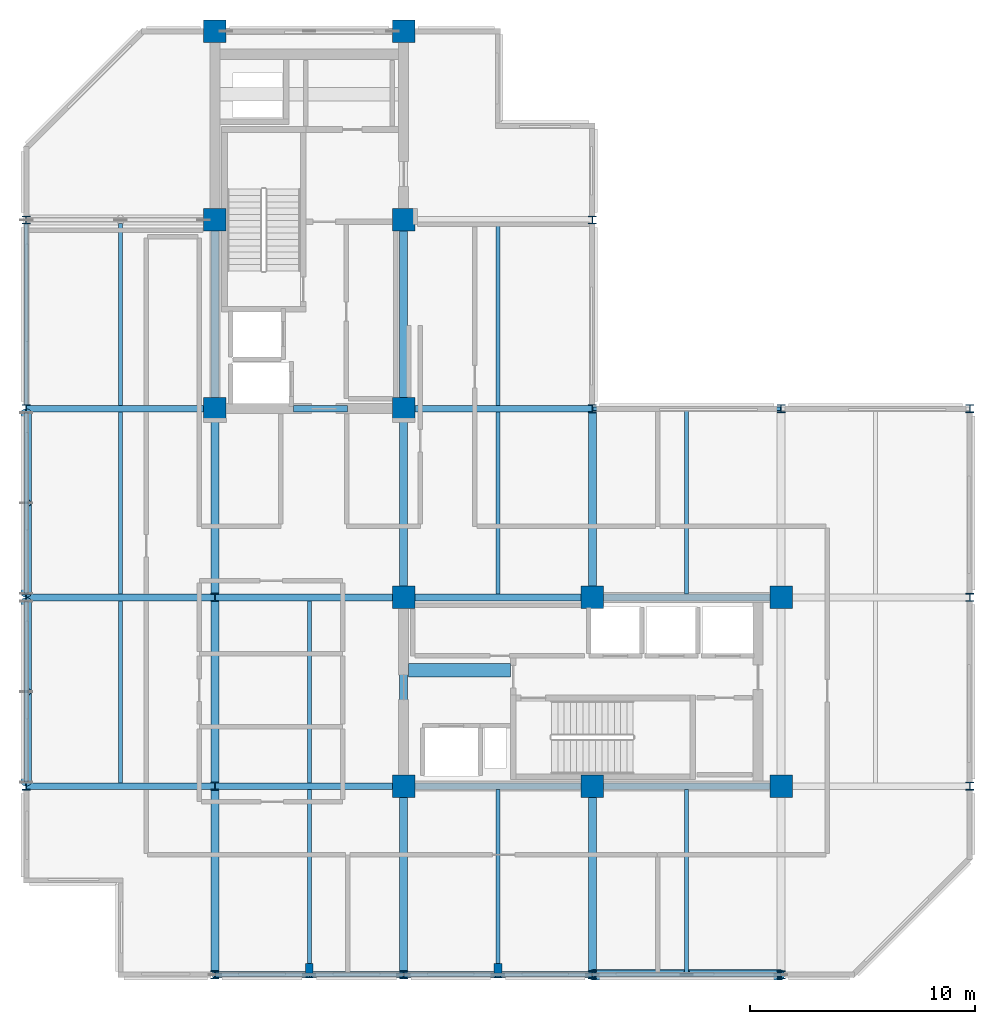
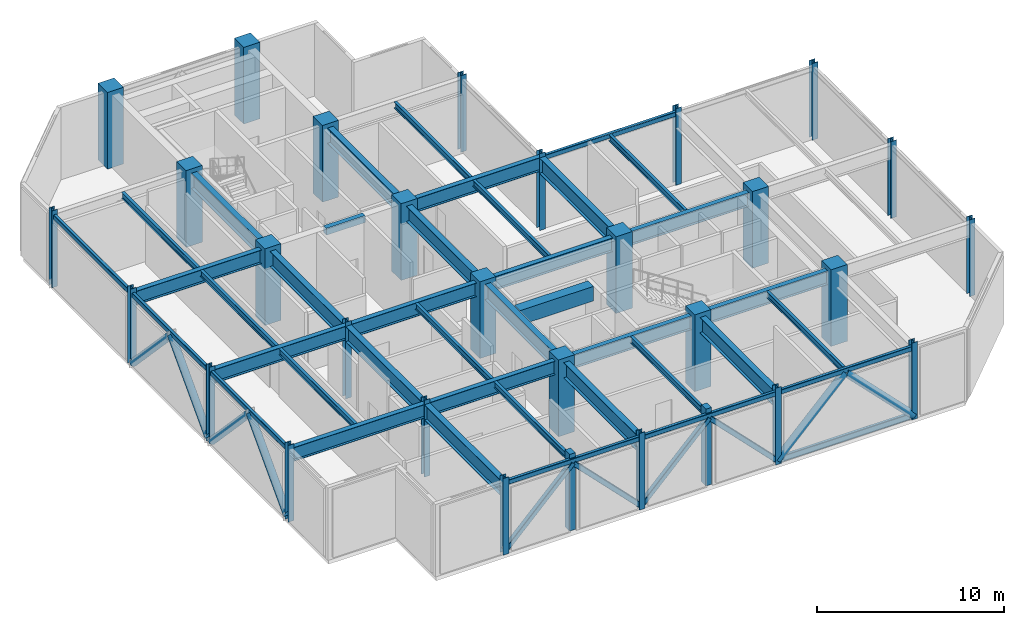
# One storey, part 1 of 10: 39 beams, 30 columns, 11 members.
"""IFC4 building model written with IfcOpenShell, lengths in metres."""

from ifc_helpers import new_model, si_unit, direction, frame, origin, origin_2d, place, context, subcontext, project, spatial, rectangle, hollow_rectangle, hollow_circle, i_section, extrude, material, material_profile, profile_set, type_object, element, save


model = new_model("IFC4")

# Units and contexts
model_context = context("Model", 3, precision=1e-05, world=origin(), true_north=direction((0.0, 1.0)))
body_context = subcontext(model_context, "Body", "Model", "MODEL_VIEW")
ifc_project = project(units=[si_unit("LENGTHUNIT", "METRE"), si_unit("AREAUNIT", "SQUARE_METRE"), si_unit("VOLUMEUNIT", "CUBIC_METRE"), si_unit("PLANEANGLEUNIT", "RADIAN"), si_unit("MASSUNIT", "GRAM", prefix="KILO")], contexts=[model_context])

# Site, building, storey
site_placement = place(None, origin())
site = spatial("IfcSite", under=ifc_project, at=site_placement, CompositionType="ELEMENT")
building_placement = place(site_placement, origin())
building = spatial("IfcBuilding", under=site, at=building_placement, Name="Nerrivon Quay Data Exchange", CompositionType="ELEMENT")
storey_placement = place(building_placement, frame((0.0, 0.0, 245.199951171875)))
storey = spatial("IfcBuildingStorey", under=building, at=storey_placement, Name="L58", CompositionType="ELEMENT", Elevation=245.199951171875)

# Columns
ifc_material_1 = material(Name="Concrete S65 (65 MPa)", Category="concrete")
ifc_material_profile_1 = material_profile(ifc_material_1, rectangle(XDim=1.0, YDim=1.0, at=origin_2d()), Name="RC-COL-1000x1000")
ifc_profile_set_1 = profile_set([ifc_material_profile_1], Name="Concrete S65 (65 MPa)")
column_type_1 = type_object("IfcColumnType", Name="COL-C4-1000", PredefinedType="COLUMN", material=ifc_profile_set_1)
for number, where, z_axis, x_axis, name in (
    (1, (8.39990234375, 25.199951171875, 0.0), (0.0, 0.0, 1.0), (1.0, 0.0, 0.0), "L58 Column (8.4,25.2)"),
    (2, (8.39990234375, 33.60009765625, 0.0), (0.0, 0.0, 1.0), (1.0, 0.0, 0.0), "L58 Column (8.4,33.6)"),
    (3, (8.39990234375, 42.0, 0.0), (0.0, 0.0, 1.0), (1.0, 0.0, 0.0), "L58 Column (8.4,42.0)"),
    (4, (16.800048828125, 8.39990234375, 0.0), (0.0, 0.0, 1.0), (1.0, 0.0, 0.0), "L58 Column (16.8,8.4)"),
    (5, (16.800048828125, 16.800048828125, 0.0), (0.0, 0.0, 1.0), (1.0, 0.0, 0.0), "L58 Column (16.8,16.8)"),
    (6, (16.800048828125, 25.199951171875, 0.0), (0.0, 0.0, 1.0), (1.0, 0.0, 0.0), "L58 Column (16.8,25.2)"),
    (7, (16.800048828125, 33.60009765625, 0.0), (0.0, 0.0, 1.0), (1.0, 0.0, 0.0), "L58 Column (16.8,33.6)"),
    (8, (16.800048828125, 42.0, 0.0), (0.0, 0.0, 1.0), (1.0, 0.0, 0.0), "L58 Column (16.8,42.0)"),
    (9, (25.199951171875, 8.39990234375, 0.0), (0.0, 0.0, 1.0), (1.0, 0.0, 0.0), "L58 Column (25.2,8.4)"),
    (10, (25.199951171875, 16.800048828125, 0.0), (0.0, 0.0, 1.0), (1.0, 0.0, 0.0), "L58 Column (25.2,16.8)"),
    (11, (33.60009765625, 8.39990234375, 0.0), (0.0, 0.0, 1.0), (1.0, 0.0, 0.0), "L58 Column (33.6,8.4)"),
    (12, (33.60009765625, 16.800048828125, 0.0), (0.0, 0.0, 1.0), (1.0, 0.0, 0.0), "L58 Column (33.6,16.8)"),
):
    element("IfcColumn", number, at=place(storey_placement, frame(where, z_axis=z_axis, x_axis=x_axis)), inside=storey, type_object=column_type_1, Name=name, PredefinedType="COLUMN", context=body_context, shape_type="SweptSolid", body=[
        extrude(rectangle(XDim=1.0, YDim=1.0, at=origin_2d()), origin(), (0.0, 0.0, 1.0), 5.0),
    ])
ifc_material_2 = material(Name="Steel Grade 350", Category="steel")
ifc_material_profile_2 = material_profile(ifc_material_2, i_section(OverallWidth=0.35009765625, OverallDepth=0.35009765625, WebThickness=0.02001953125, FlangeThickness=0.031982421875, at=origin_2d()), Name="350WC230")
ifc_profile_set_2 = profile_set([ifc_material_profile_2], Name="Steel Grade 350")
column_type_2 = type_object("IfcColumnType", Name="COL-SC3-350WC", PredefinedType="COLUMN", material=ifc_profile_set_2)
for number, where, z_axis, x_axis, name in (
    (13, (0.0, 8.39990234375, 0.0), (0.0, 0.0, 1.0), (1.0, 0.0, 0.0), "L58 Column (0.0,8.4)"),
    (14, (0.0, 16.800048828125, 0.0), (0.0, 0.0, 1.0), (1.0, 0.0, 0.0), "L58 Column (0.0,16.8)"),
    (15, (0.0, 25.199951171875, 0.0), (0.0, 0.0, 1.0), (1.0, 0.0, 0.0), "L58 Column (0.0,25.2)"),
    (16, (0.0, 33.60009765625, 0.0), (0.0, 0.0, 1.0), (1.0, 0.0, 0.0), "L58 Column (0.0,33.6)"),
    (17, (8.39990234375, 0.0, 0.0), (0.0, 0.0, 1.0), (1.0, 0.0, 0.0), "L58 Column (8.4,0.0)"),
    (18, (8.39990234375, 8.39990234375, 0.0), (0.0, 0.0, 1.0), (1.0, 0.0, 0.0), "L58 Column (8.4,8.4)"),
    (19, (8.39990234375, 16.800048828125, 0.0), (0.0, 0.0, 1.0), (1.0, 0.0, 0.0), "L58 Column (8.4,16.8)"),
    (20, (16.800048828125, 0.0, 0.0), (0.0, 0.0, 1.0), (1.0, 0.0, 0.0), "L58 Column (16.8,0.0)"),
    (21, (25.199951171875, 0.0, 0.0), (0.0, 0.0, 1.0), (1.0, 0.0, 0.0), "L58 Column (25.2,0.0)"),
    (22, (25.199951171875, 25.199951171875, 0.0), (0.0, 0.0, 1.0), (1.0, 0.0, 0.0), "L58 Column (25.2,25.2)"),
    (23, (25.199951171875, 33.60009765625, 0.0), (0.0, 0.0, 1.0), (1.0, 0.0, 0.0), "L58 Column (25.2,33.6)"),
    (24, (33.60009765625, 0.0, 0.0), (0.0, 0.0, 1.0), (1.0, 0.0, 0.0), "L58 Column (33.6,0.0)"),
    (25, (33.60009765625, 25.199951171875, 0.0), (0.0, 0.0, 1.0), (1.0, 0.0, 0.0), "L58 Column (33.6,25.2)"),
    (26, (42.0, 8.39990234375, 0.0), (0.0, 0.0, 1.0), (1.0, 0.0, 0.0), "L58 Column (42.0,8.4)"),
    (27, (42.0, 16.800048828125, 0.0), (0.0, 0.0, 1.0), (1.0, 0.0, 0.0), "L58 Column (42.0,16.8)"),
    (28, (42.0, 25.199951171875, 0.0), (0.0, 0.0, 1.0), (1.0, 0.0, 0.0), "L58 Column (42.0,25.2)"),
):
    element("IfcColumn", number, at=place(storey_placement, frame(where, z_axis=z_axis, x_axis=x_axis)), inside=storey, type_object=column_type_2, Name=name, PredefinedType="COLUMN", context=body_context, shape_type="SweptSolid", body=[
        extrude(i_section(OverallWidth=0.35009765625, OverallDepth=0.35009765625, WebThickness=0.02001953125, FlangeThickness=0.031982421875, at=origin_2d()), origin(), (0.0, 0.0, 1.0), 5.0),
    ])
ifc_material_3 = material(Name="Concrete N50 (50 MPa)", Category="concrete")
ifc_material_profile_3 = material_profile(ifc_material_3, rectangle(XDim=0.35009765625, YDim=0.5, at=origin_2d()), Name="RC-PIL-500x350")
ifc_profile_set_3 = profile_set([ifc_material_profile_3], Name="Concrete N50 (50 MPa)")
column_type_3 = type_object("IfcColumnType", Name="PIL-P2-500x350", PredefinedType="PILASTER", material=ifc_profile_set_3)
for number, where, z_axis, x_axis, name in (
    (29, (12.60009765625, 0.25, 0.0), (0.0, 0.0, 1.0), (1.0, 0.0, 0.0), "L58 Facade Pilaster (12.6)"),
    (30, (21.0, 0.25, 0.0), (0.0, 0.0, 1.0), (1.0, 0.0, 0.0), "L58 Facade Pilaster (21.0)"),
):
    element("IfcColumn", number, at=place(storey_placement, frame(where, z_axis=z_axis, x_axis=x_axis)), inside=storey, type_object=column_type_3, Name=name, PredefinedType="PILASTER", context=body_context, shape_type="SweptSolid", body=[
        extrude(rectangle(XDim=0.35009765625, YDim=0.5, at=origin_2d()), origin(), (0.0, 0.0, 1.0), 5.0),
    ])

# Beams
ifc_material_profile_4 = material_profile(ifc_material_3, rectangle(XDim=0.60009765625, YDim=0.949951171875, at=origin_2d()), Name="RC-CB-600x950")
ifc_profile_set_4 = profile_set([ifc_material_profile_4], Name="Concrete N50 (50 MPa)")
beam_type_1 = type_object("IfcBeamType", Name="BM-CB2-600x950", PredefinedType="LINTEL", material=ifc_profile_set_4)
beam_1_placement = place(storey_placement, frame((17.02490234375, 13.550048828125, 4.25), z_axis=(1.0, 0.0, 0.0), x_axis=(0.0, 1.0, 0.0)))
element("IfcBeam", 31, at=beam_1_placement, inside=storey, type_object=beam_type_1, Name="L58 East Core Coupling Beam", PredefinedType="LINTEL", context=body_context, shape_type="SweptSolid", body=[
    extrude(rectangle(XDim=0.60009765625, YDim=0.949951171875, at=origin_2d()), origin(), (0.0, 0.0, 1.0), 4.530029296875),
])
ifc_material_profile_5 = material_profile(ifc_material_2, i_section(OverallWidth=0.177978515625, OverallDepth=0.403076171875, WebThickness=0.007568359375, FlangeThickness=0.010986328125, FilletRadius=0.011474609375, at=origin_2d()), Name="410UB53.7")
ifc_profile_set_5 = profile_set([ifc_material_profile_5], Name="Steel Grade 350")
beam_type_2 = type_object("IfcBeamType", Name="BM-J2-410UB54", PredefinedType="JOIST", material=ifc_profile_set_5)
beam_2_placement = place(storey_placement, frame((4.199951171875, 8.550048828125, 4.5234375), z_axis=(0.0, 1.0, 0.0), x_axis=(-1.0, 0.0, 0.0)))
element("IfcBeam", 32, at=beam_2_placement, inside=storey, type_object=beam_type_2, Name="L58 Secondary Joist X=4.2 (8.4..16.8)", PredefinedType="JOIST", context=body_context, shape_type="SweptSolid", body=[
    extrude(i_section(OverallWidth=0.177978515625, OverallDepth=0.403076171875, WebThickness=0.007568359375, FlangeThickness=0.010986328125, FilletRadius=0.011474609375, at=origin_2d()), origin(), (0.0, 0.0, 1.0), 8.099853515625),
])
beam_3_placement = place(storey_placement, frame((4.199951171875, 16.949951171875, 4.5234375), z_axis=(0.0, 1.0, 0.0), x_axis=(-1.0, 0.0, 0.0)))
element("IfcBeam", 33, at=beam_3_placement, inside=storey, type_object=beam_type_2, Name="L58 Secondary Joist X=4.2 (16.8..25.2)", PredefinedType="JOIST", context=body_context, shape_type="SweptSolid", body=[
    extrude(i_section(OverallWidth=0.177978515625, OverallDepth=0.403076171875, WebThickness=0.007568359375, FlangeThickness=0.010986328125, FilletRadius=0.011474609375, at=origin_2d()), origin(), (0.0, 0.0, 1.0), 8.10009765625),
])
beam_4_placement = place(storey_placement, frame((4.199951171875, 25.35009765625, 4.5234375), z_axis=(0.0, 1.0, 0.0), x_axis=(-1.0, 0.0, 0.0)))
element("IfcBeam", 34, at=beam_4_placement, inside=storey, type_object=beam_type_2, Name="L58 Secondary Joist X=4.2 (25.2..33.6)", PredefinedType="JOIST", context=body_context, shape_type="SweptSolid", body=[
    extrude(i_section(OverallWidth=0.177978515625, OverallDepth=0.403076171875, WebThickness=0.007568359375, FlangeThickness=0.010986328125, FilletRadius=0.011474609375, at=origin_2d()), origin(), (0.0, 0.0, 1.0), 8.099853515625),
])
beam_5_placement = place(storey_placement, frame((12.60009765625, 0.10009765625, 4.5234375), z_axis=(0.0, 1.0, 0.0), x_axis=(-1.0, 0.0, 0.0)))
element("IfcBeam", 35, at=beam_5_placement, inside=storey, type_object=beam_type_2, Name="L58 Secondary Joist X=12.6 (0.0..8.4)", PredefinedType="JOIST", context=body_context, shape_type="SweptSolid", body=[
    extrude(i_section(OverallWidth=0.177978515625, OverallDepth=0.403076171875, WebThickness=0.007568359375, FlangeThickness=0.010986328125, FilletRadius=0.011474609375, at=origin_2d()), origin(), (0.0, 0.0, 1.0), 8.14990234375),
])
beam_6_placement = place(storey_placement, frame((12.60009765625, 8.550048828125, 4.5234375), z_axis=(0.0, 1.0, 0.0), x_axis=(-1.0, 0.0, 0.0)))
element("IfcBeam", 36, at=beam_6_placement, inside=storey, type_object=beam_type_2, Name="L58 Secondary Joist X=12.6 (8.4..16.8)", PredefinedType="JOIST", context=body_context, shape_type="SweptSolid", body=[
    extrude(i_section(OverallWidth=0.177978515625, OverallDepth=0.403076171875, WebThickness=0.007568359375, FlangeThickness=0.010986328125, FilletRadius=0.011474609375, at=origin_2d()), origin(), (0.0, 0.0, 1.0), 8.099853515625),
])
beam_7_placement = place(storey_placement, frame((21.0, 0.10009765625, 4.5234375), z_axis=(0.0, 1.0, 0.0), x_axis=(-1.0, 0.0, 0.0)))
element("IfcBeam", 37, at=beam_7_placement, inside=storey, type_object=beam_type_2, Name="L58 Secondary Joist X=21.0 (0.0..8.4)", PredefinedType="JOIST", context=body_context, shape_type="SweptSolid", body=[
    extrude(i_section(OverallWidth=0.177978515625, OverallDepth=0.403076171875, WebThickness=0.007568359375, FlangeThickness=0.010986328125, FilletRadius=0.011474609375, at=origin_2d()), origin(), (0.0, 0.0, 1.0), 8.14990234375),
])
beam_8_placement = place(storey_placement, frame((21.0, 16.949951171875, 4.5234375), z_axis=(0.0, 1.0, 0.0), x_axis=(-1.0, 0.0, 0.0)))
element("IfcBeam", 38, at=beam_8_placement, inside=storey, type_object=beam_type_2, Name="L58 Secondary Joist X=21.0 (16.8..25.2)", PredefinedType="JOIST", context=body_context, shape_type="SweptSolid", body=[
    extrude(i_section(OverallWidth=0.177978515625, OverallDepth=0.403076171875, WebThickness=0.007568359375, FlangeThickness=0.010986328125, FilletRadius=0.011474609375, at=origin_2d()), origin(), (0.0, 0.0, 1.0), 8.10009765625),
])
beam_9_placement = place(storey_placement, frame((21.0, 25.35009765625, 4.5234375), z_axis=(0.0, 1.0, 0.0), x_axis=(-1.0, 0.0, 0.0)))
element("IfcBeam", 39, at=beam_9_placement, inside=storey, type_object=beam_type_2, Name="L58 Secondary Joist X=21.0 (25.2..33.6)", PredefinedType="JOIST", context=body_context, shape_type="SweptSolid", body=[
    extrude(i_section(OverallWidth=0.177978515625, OverallDepth=0.403076171875, WebThickness=0.007568359375, FlangeThickness=0.010986328125, FilletRadius=0.011474609375, at=origin_2d()), origin(), (0.0, 0.0, 1.0), 8.099853515625),
])
beam_10_placement = place(storey_placement, frame((29.39990234375, 0.10009765625, 4.5234375), z_axis=(0.0, 1.0, 0.0), x_axis=(-1.0, 0.0, 0.0)))
element("IfcBeam", 40, at=beam_10_placement, inside=storey, type_object=beam_type_2, Name="L58 Secondary Joist X=29.4 (0.0..8.4)", PredefinedType="JOIST", context=body_context, shape_type="SweptSolid", body=[
    extrude(i_section(OverallWidth=0.177978515625, OverallDepth=0.403076171875, WebThickness=0.007568359375, FlangeThickness=0.010986328125, FilletRadius=0.011474609375, at=origin_2d()), origin(), (0.0, 0.0, 1.0), 8.14990234375),
])
beam_11_placement = place(storey_placement, frame((29.39990234375, 16.949951171875, 4.5234375), z_axis=(0.0, 1.0, 0.0), x_axis=(-1.0, 0.0, 0.0)))
element("IfcBeam", 41, at=beam_11_placement, inside=storey, type_object=beam_type_2, Name="L58 Secondary Joist X=29.4 (16.8..25.2)", PredefinedType="JOIST", context=body_context, shape_type="SweptSolid", body=[
    extrude(i_section(OverallWidth=0.177978515625, OverallDepth=0.403076171875, WebThickness=0.007568359375, FlangeThickness=0.010986328125, FilletRadius=0.011474609375, at=origin_2d()), origin(), (0.0, 0.0, 1.0), 8.150146484375),
])
ifc_material_profile_6 = material_profile(ifc_material_3, rectangle(XDim=0.300048828125, YDim=0.449951171875, at=origin_2d()), Name="RC-LNT-300x450")
ifc_profile_set_6 = profile_set([ifc_material_profile_6], Name="Concrete N50 (50 MPa)")
beam_type_3 = type_object("IfcBeamType", Name="BM-LNT-300x450", PredefinedType="LINTEL", material=ifc_profile_set_6)
beam_12_placement = place(storey_placement, frame((11.89990234375, 25.199951171875, 4.5), z_axis=(1.0, 0.0, 0.0), x_axis=(0.0, 1.0, 0.0)))
element("IfcBeam", 42, at=beam_12_placement, inside=storey, type_object=beam_type_3, Name="L58 Core Threshold RC Lintel", PredefinedType="LINTEL", context=body_context, shape_type="SweptSolid", body=[
    extrude(rectangle(XDim=0.300048828125, YDim=0.449951171875, at=origin_2d()), origin(), (0.0, 0.0, 1.0), 2.400146484375),
])
ifc_material_profile_7 = material_profile(ifc_material_2, i_section(OverallWidth=0.300048828125, OverallDepth=0.89990234375, WebThickness=0.011962890625, FlangeThickness=0.02001953125, at=origin_2d()), Name="900WB175")
ifc_profile_set_7 = profile_set([ifc_material_profile_7], Name="Steel Grade 350")
beam_type_4 = type_object("IfcBeamType", Name="BM-OUT-900WB175", PredefinedType="BEAM", material=ifc_profile_set_7)
beam_13_placement = place(storey_placement, frame((0.010009765625, 8.39990234375, 4.275146484375), z_axis=(1.0, 0.0, 0.0), x_axis=(0.0, 1.0, 0.0)))
element("IfcBeam", 43, at=beam_13_placement, inside=storey, type_object=beam_type_4, Name="L58 EW Girder Y=8.4 (0.0..8.4)", PredefinedType="BEAM", context=body_context, shape_type="SweptSolid", body=[
    extrude(i_section(OverallWidth=0.300048828125, OverallDepth=0.89990234375, WebThickness=0.011962890625, FlangeThickness=0.02001953125, at=origin_2d()), origin(), (0.0, 0.0, 1.0), 8.3798828125),
])
beam_14_placement = place(storey_placement, frame((8.409912109375, 8.39990234375, 4.275146484375), z_axis=(1.0, 0.0, 0.0), x_axis=(0.0, 1.0, 0.0)))
element("IfcBeam", 44, at=beam_14_placement, inside=storey, type_object=beam_type_4, Name="L58 EW Girder Y=8.4 (8.4..16.8)", PredefinedType="BEAM", context=body_context, shape_type="SweptSolid", body=[
    extrude(i_section(OverallWidth=0.300048828125, OverallDepth=0.89990234375, WebThickness=0.011962890625, FlangeThickness=0.02001953125, at=origin_2d()), origin(), (0.0, 0.0, 1.0), 7.89013671875),
])
beam_15_placement = place(storey_placement, frame((17.300048828125, 8.39990234375, 4.275146484375), z_axis=(1.0, 0.0, 0.0), x_axis=(0.0, 1.0, 0.0)))
element("IfcBeam", 45, at=beam_15_placement, inside=storey, type_object=beam_type_4, Name="L58 EW Girder Y=8.4 (16.8..25.2)", PredefinedType="BEAM", context=body_context, shape_type="SweptSolid", body=[
    extrude(i_section(OverallWidth=0.300048828125, OverallDepth=0.89990234375, WebThickness=0.011962890625, FlangeThickness=0.02001953125, at=origin_2d()), origin(), (0.0, 0.0, 1.0), 7.39990234375),
])
beam_16_placement = place(storey_placement, frame((25.699951171875, 8.39990234375, 4.275146484375), z_axis=(1.0, 0.0, 0.0), x_axis=(0.0, 1.0, 0.0)))
element("IfcBeam", 46, at=beam_16_placement, inside=storey, type_object=beam_type_4, Name="L58 EW Girder Y=8.4 (25.2..33.6)", PredefinedType="BEAM", context=body_context, shape_type="SweptSolid", body=[
    extrude(i_section(OverallWidth=0.300048828125, OverallDepth=0.89990234375, WebThickness=0.011962890625, FlangeThickness=0.02001953125, at=origin_2d()), origin(), (0.0, 0.0, 1.0), 7.400146484375),
])
beam_17_placement = place(storey_placement, frame((0.010009765625, 16.800048828125, 4.275146484375), z_axis=(1.0, 0.0, 0.0), x_axis=(0.0, 1.0, 0.0)))
element("IfcBeam", 47, at=beam_17_placement, inside=storey, type_object=beam_type_4, Name="L58 EW Girder Y=16.8 (0.0..8.4)", PredefinedType="BEAM", context=body_context, shape_type="SweptSolid", body=[
    extrude(i_section(OverallWidth=0.300048828125, OverallDepth=0.89990234375, WebThickness=0.011962890625, FlangeThickness=0.02001953125, at=origin_2d()), origin(), (0.0, 0.0, 1.0), 8.3798828125),
])
beam_18_placement = place(storey_placement, frame((8.409912109375, 16.800048828125, 4.275146484375), z_axis=(1.0, 0.0, 0.0), x_axis=(0.0, 1.0, 0.0)))
element("IfcBeam", 48, at=beam_18_placement, inside=storey, type_object=beam_type_4, Name="L58 EW Girder Y=16.8 (8.4..16.8)", PredefinedType="BEAM", context=body_context, shape_type="SweptSolid", body=[
    extrude(i_section(OverallWidth=0.300048828125, OverallDepth=0.89990234375, WebThickness=0.011962890625, FlangeThickness=0.02001953125, at=origin_2d()), origin(), (0.0, 0.0, 1.0), 7.89013671875),
])
beam_19_placement = place(storey_placement, frame((17.300048828125, 16.800048828125, 4.275146484375), z_axis=(1.0, 0.0, 0.0), x_axis=(0.0, 1.0, 0.0)))
element("IfcBeam", 49, at=beam_19_placement, inside=storey, type_object=beam_type_4, Name="L58 EW Girder Y=16.8 (16.8..25.2)", PredefinedType="BEAM", context=body_context, shape_type="SweptSolid", body=[
    extrude(i_section(OverallWidth=0.300048828125, OverallDepth=0.89990234375, WebThickness=0.011962890625, FlangeThickness=0.02001953125, at=origin_2d()), origin(), (0.0, 0.0, 1.0), 7.39990234375),
])
beam_20_placement = place(storey_placement, frame((25.699951171875, 16.800048828125, 4.275146484375), z_axis=(1.0, 0.0, 0.0), x_axis=(0.0, 1.0, 0.0)))
element("IfcBeam", 50, at=beam_20_placement, inside=storey, type_object=beam_type_4, Name="L58 EW Girder Y=16.8 (25.2..33.6)", PredefinedType="BEAM", context=body_context, shape_type="SweptSolid", body=[
    extrude(i_section(OverallWidth=0.300048828125, OverallDepth=0.89990234375, WebThickness=0.011962890625, FlangeThickness=0.02001953125, at=origin_2d()), origin(), (0.0, 0.0, 1.0), 7.400146484375),
])
for number, where, z_axis, x_axis, name in (
    (51, (0.010009765625, 25.199951171875, 4.275146484375), (1.0, 0.0, 0.0), (0.0, 1.0, 0.0), "L58 EW Girder Y=25.2 (0.0..8.4)"),
    (52, (17.300048828125, 25.199951171875, 4.275146484375), (1.0, 0.0, 0.0), (0.0, 1.0, 0.0), "L58 EW Girder Y=25.2 (16.8..25.2)"),
):
    element("IfcBeam", number, at=place(storey_placement, frame(where, z_axis=z_axis, x_axis=x_axis)), inside=storey, type_object=beam_type_4, Name=name, PredefinedType="BEAM", context=body_context, shape_type="SweptSolid", body=[
        extrude(i_section(OverallWidth=0.300048828125, OverallDepth=0.89990234375, WebThickness=0.011962890625, FlangeThickness=0.02001953125, at=origin_2d()), origin(), (0.0, 0.0, 1.0), 7.889892578125),
    ])
ifc_material_4 = material(Name="Steel Grade C350L0 (350 MPa)", Category="steel")
ifc_material_profile_8 = material_profile(ifc_material_4, hollow_rectangle(XDim=0.199951171875, YDim=0.300048828125, WallThickness=0.012451171875, InnerFilletRadius=0.018798828125, OuterFilletRadius=0.03125, at=origin_2d()), Name="300x200x12.5RHS")
ifc_profile_set_8 = profile_set([ifc_material_profile_8], Name="Steel Grade C350L0 (350 MPa)")
beam_type_5 = type_object("IfcBeamType", Name="BM-SP3-300x200RHS", PredefinedType="SPANDREL", material=ifc_profile_set_8)
beam_21_placement = place(storey_placement, frame((8.409912109375, 0.0, 4.574951171875), z_axis=(1.0, 0.0, 0.0), x_axis=(0.0, 1.0, 0.0)))
element("IfcBeam", 53, at=beam_21_placement, inside=storey, type_object=beam_type_5, Name="L58 EW Girder Y=0.0 (8.4..16.8)", PredefinedType="SPANDREL", context=body_context, shape_type="SweptSolid", body=[
    extrude(hollow_rectangle(XDim=0.199951171875, YDim=0.300048828125, WallThickness=0.012451171875, InnerFilletRadius=0.018798828125, OuterFilletRadius=0.03125, at=origin_2d()), origin(), (0.0, 0.0, 1.0), 8.380126953125),
])
beam_22_placement = place(storey_placement, frame((16.81005859375, 0.0, 4.574951171875), z_axis=(1.0, 0.0, 0.0), x_axis=(0.0, 1.0, 0.0)))
element("IfcBeam", 54, at=beam_22_placement, inside=storey, type_object=beam_type_5, Name="L58 EW Girder Y=0.0 (16.8..25.2)", PredefinedType="SPANDREL", context=body_context, shape_type="SweptSolid", body=[
    extrude(hollow_rectangle(XDim=0.199951171875, YDim=0.300048828125, WallThickness=0.012451171875, InnerFilletRadius=0.018798828125, OuterFilletRadius=0.03125, at=origin_2d()), origin(), (0.0, 0.0, 1.0), 8.3798828125),
])
for number, where, z_axis, x_axis, name in (
    (55, (25.2099609375, 0.0, 4.574951171875), (1.0, 0.0, 0.0), (0.0, 1.0, 0.0), "L58 EW Girder Y=0.0 (25.2..33.6)"),
    (56, (25.2099609375, 25.199951171875, 4.574951171875), (1.0, 0.0, 0.0), (0.0, 1.0, 0.0), "L58 EW Girder Y=25.2 (25.2..33.6)"),
):
    element("IfcBeam", number, at=place(storey_placement, frame(where, z_axis=z_axis, x_axis=x_axis)), inside=storey, type_object=beam_type_5, Name=name, PredefinedType="SPANDREL", context=body_context, shape_type="SweptSolid", body=[
        extrude(hollow_rectangle(XDim=0.199951171875, YDim=0.300048828125, WallThickness=0.012451171875, InnerFilletRadius=0.018798828125, OuterFilletRadius=0.03125, at=origin_2d()), origin(), (0.0, 0.0, 1.0), 8.380126953125),
    ])
beam_23_placement = place(storey_placement, frame((0.0, 8.574951171875, 4.574951171875), z_axis=(0.0, 1.0, 0.0), x_axis=(-1.0, 0.0, 0.0)))
element("IfcBeam", 57, at=beam_23_placement, inside=storey, type_object=beam_type_5, Name="L58 NS Girder X=0.0 (8.4..16.8)", PredefinedType="SPANDREL", context=body_context, shape_type="SweptSolid", body=[
    extrude(hollow_rectangle(XDim=0.199951171875, YDim=0.300048828125, WallThickness=0.012451171875, InnerFilletRadius=0.018798828125, OuterFilletRadius=0.03125, at=origin_2d()), origin(), (0.0, 0.0, 1.0), 8.050048828125),
])
beam_24_placement = place(storey_placement, frame((0.0, 16.97509765625, 4.574951171875), z_axis=(0.0, 1.0, 0.0), x_axis=(-1.0, 0.0, 0.0)))
element("IfcBeam", 58, at=beam_24_placement, inside=storey, type_object=beam_type_5, Name="L58 NS Girder X=0.0 (16.8..25.2)", PredefinedType="SPANDREL", context=body_context, shape_type="SweptSolid", body=[
    extrude(hollow_rectangle(XDim=0.199951171875, YDim=0.300048828125, WallThickness=0.012451171875, InnerFilletRadius=0.018798828125, OuterFilletRadius=0.03125, at=origin_2d()), origin(), (0.0, 0.0, 1.0), 8.0498046875),
])
beam_25_placement = place(storey_placement, frame((0.0, 25.375, 4.574951171875), z_axis=(0.0, 1.0, 0.0), x_axis=(-1.0, 0.0, 0.0)))
element("IfcBeam", 59, at=beam_25_placement, inside=storey, type_object=beam_type_5, Name="L58 NS Girder X=0.0 (25.2..33.6)", PredefinedType="SPANDREL", context=body_context, shape_type="SweptSolid", body=[
    extrude(hollow_rectangle(XDim=0.199951171875, YDim=0.300048828125, WallThickness=0.012451171875, InnerFilletRadius=0.018798828125, OuterFilletRadius=0.03125, at=origin_2d()), origin(), (0.0, 0.0, 1.0), 8.050048828125),
])
ifc_material_profile_9 = material_profile(ifc_material_2, i_section(OverallWidth=0.35009765625, OverallDepth=1.01611328125, WebThickness=0.01611328125, FlangeThickness=0.028076171875, at=origin_2d()), Name="1000WB258")
ifc_profile_set_9 = profile_set([ifc_material_profile_9], Name="Steel Grade 350")
beam_type_6 = type_object("IfcBeamType", Name="BM-TG3-1000WB", PredefinedType="USERDEFINED", material=ifc_profile_set_9)
for number, where, z_axis, x_axis, name in (
    (60, (8.39990234375, 0.175048828125, 4.217041015625), (0.0, 1.0, 0.0), (-1.0, 0.0, 0.0), "L58 NS Girder X=8.4 (0.0..8.4)"),
    (61, (8.39990234375, 8.574951171875, 4.217041015625), (0.0, 1.0, 0.0), (-1.0, 0.0, 0.0), "L58 NS Girder X=8.4 (8.4..16.8)"),
):
    element("IfcBeam", number, at=place(storey_placement, frame(where, z_axis=z_axis, x_axis=x_axis)), inside=storey, type_object=beam_type_6, Name=name, ObjectType="TRANSFER", PredefinedType="USERDEFINED", context=body_context, shape_type="SweptSolid", body=[
        extrude(i_section(OverallWidth=0.35009765625, OverallDepth=1.01611328125, WebThickness=0.01611328125, FlangeThickness=0.028076171875, at=origin_2d()), origin(), (0.0, 0.0, 1.0), 8.050048828125),
    ])
beam_26_placement = place(storey_placement, frame((8.39990234375, 16.97509765625, 4.217041015625), z_axis=(0.0, 1.0, 0.0), x_axis=(-1.0, 0.0, 0.0)))
element("IfcBeam", 62, at=beam_26_placement, inside=storey, type_object=beam_type_6, Name="L58 NS Girder X=8.4 (16.8..25.2)", ObjectType="TRANSFER", PredefinedType="USERDEFINED", context=body_context, shape_type="SweptSolid", body=[
    extrude(i_section(OverallWidth=0.35009765625, OverallDepth=1.01611328125, WebThickness=0.01611328125, FlangeThickness=0.028076171875, at=origin_2d()), origin(), (0.0, 0.0, 1.0), 7.724853515625),
])
beam_27_placement = place(storey_placement, frame((8.39990234375, 25.699951171875, 4.217041015625), z_axis=(0.0, 1.0, 0.0), x_axis=(-1.0, 0.0, 0.0)))
element("IfcBeam", 63, at=beam_27_placement, inside=storey, type_object=beam_type_6, Name="L58 NS Girder X=8.4 (25.2..33.6)", ObjectType="TRANSFER", PredefinedType="USERDEFINED", context=body_context, shape_type="SweptSolid", body=[
    extrude(i_section(OverallWidth=0.35009765625, OverallDepth=1.01611328125, WebThickness=0.01611328125, FlangeThickness=0.028076171875, at=origin_2d()), origin(), (0.0, 0.0, 1.0), 7.400146484375),
])
beam_28_placement = place(storey_placement, frame((16.800048828125, 0.175048828125, 4.217041015625), z_axis=(0.0, 1.0, 0.0), x_axis=(-1.0, 0.0, 0.0)))
element("IfcBeam", 64, at=beam_28_placement, inside=storey, type_object=beam_type_6, Name="L58 NS Girder X=16.8 (0.0..8.4)", ObjectType="TRANSFER", PredefinedType="USERDEFINED", context=body_context, shape_type="SweptSolid", body=[
    extrude(i_section(OverallWidth=0.35009765625, OverallDepth=1.01611328125, WebThickness=0.01611328125, FlangeThickness=0.028076171875, at=origin_2d()), origin(), (0.0, 0.0, 1.0), 7.724853515625),
])
beam_29_placement = place(storey_placement, frame((16.800048828125, 8.89990234375, 4.217041015625), z_axis=(0.0, 1.0, 0.0), x_axis=(-1.0, 0.0, 0.0)))
element("IfcBeam", 65, at=beam_29_placement, inside=storey, type_object=beam_type_6, Name="L58 NS Girder X=16.8 (8.4..16.8)", ObjectType="TRANSFER", PredefinedType="USERDEFINED", context=body_context, shape_type="SweptSolid", body=[
    extrude(i_section(OverallWidth=0.35009765625, OverallDepth=1.01611328125, WebThickness=0.01611328125, FlangeThickness=0.028076171875, at=origin_2d()), origin(), (0.0, 0.0, 1.0), 7.400146484375),
])
beam_30_placement = place(storey_placement, frame((16.800048828125, 17.300048828125, 4.217041015625), z_axis=(0.0, 1.0, 0.0), x_axis=(-1.0, 0.0, 0.0)))
element("IfcBeam", 66, at=beam_30_placement, inside=storey, type_object=beam_type_6, Name="L58 NS Girder X=16.8 (16.8..25.2)", ObjectType="TRANSFER", PredefinedType="USERDEFINED", context=body_context, shape_type="SweptSolid", body=[
    extrude(i_section(OverallWidth=0.35009765625, OverallDepth=1.01611328125, WebThickness=0.01611328125, FlangeThickness=0.028076171875, at=origin_2d()), origin(), (0.0, 0.0, 1.0), 7.39990234375),
])
beam_31_placement = place(storey_placement, frame((16.800048828125, 25.699951171875, 4.217041015625), z_axis=(0.0, 1.0, 0.0), x_axis=(-1.0, 0.0, 0.0)))
element("IfcBeam", 67, at=beam_31_placement, inside=storey, type_object=beam_type_6, Name="L58 NS Girder X=16.8 (25.2..33.6)", ObjectType="TRANSFER", PredefinedType="USERDEFINED", context=body_context, shape_type="SweptSolid", body=[
    extrude(i_section(OverallWidth=0.35009765625, OverallDepth=1.01611328125, WebThickness=0.01611328125, FlangeThickness=0.028076171875, at=origin_2d()), origin(), (0.0, 0.0, 1.0), 7.400146484375),
])
for number, where, z_axis, x_axis, name in (
    (68, (25.199951171875, 0.175048828125, 4.217041015625), (0.0, 1.0, 0.0), (-1.0, 0.0, 0.0), "L58 NS Girder X=25.2 (0.0..8.4)"),
    (69, (25.199951171875, 17.300048828125, 4.217041015625), (0.0, 1.0, 0.0), (-1.0, 0.0, 0.0), "L58 NS Girder X=25.2 (16.8..25.2)"),
):
    element("IfcBeam", number, at=place(storey_placement, frame(where, z_axis=z_axis, x_axis=x_axis)), inside=storey, type_object=beam_type_6, Name=name, ObjectType="TRANSFER", PredefinedType="USERDEFINED", context=body_context, shape_type="SweptSolid", body=[
        extrude(i_section(OverallWidth=0.35009765625, OverallDepth=1.01611328125, WebThickness=0.01611328125, FlangeThickness=0.028076171875, at=origin_2d()), origin(), (0.0, 0.0, 1.0), 7.724853515625),
    ])

# Members
ifc_material_profile_10 = material_profile(ifc_material_4, hollow_rectangle(XDim=0.300048828125, YDim=0.300048828125, WallThickness=0.01611328125, InnerFilletRadius=0.02392578125, OuterFilletRadius=0.0400390625, at=origin_2d()), Name="300x300x16.0SHS")
ifc_profile_set_10 = profile_set([ifc_material_profile_10], Name="Steel Grade C350L0 (350 MPa)")
member_type_1 = type_object("IfcMemberType", Name="MEM-BB2-300SHS", PredefinedType="BRACE", material=ifc_profile_set_10)
member_1_placement = place(storey_placement, frame((8.409912109375, 0.0, 0.179931640625), z_axis=(0.701648641018, 0.0, 0.712523111595), x_axis=(0.0, 1.0, 0.0)))
element("IfcMember", 70, at=member_1_placement, inside=storey, type_object=member_type_1, Name="L58 structural brace BB-L58-05A", PredefinedType="BRACE", context=body_context, shape_type="SweptSolid", body=[
    extrude(hollow_rectangle(XDim=0.300048828125, YDim=0.300048828125, WallThickness=0.01611328125, InnerFilletRadius=0.02392578125, OuterFilletRadius=0.0400390625, at=origin_2d()), origin(), (0.0, 0.0, 1.0), 5.971923828125),
])
for number, where, z_axis, x_axis, name in (
    (71, (16.7900390625, 0.0, 0.179931640625), (-0.701627885046, 0.0, 0.712543550196), (0.0, -1.0, 0.0), "L58 structural brace BB-L58-05B"),
    (72, (16.81005859375, 0.0, 0.179931640625), (0.701627885046, 0.0, 0.712543550196), (0.0, 1.0, 0.0), "L58 structural brace BB-L58-06A"),
    (73, (25.18994140625, 0.0, 0.179931640625), (-0.701627885046, 0.0, 0.712543550196), (0.0, -1.0, 0.0), "L58 structural brace BB-L58-06B"),
):
    element("IfcMember", number, at=place(storey_placement, frame(where, z_axis=z_axis, x_axis=x_axis)), inside=storey, type_object=member_type_1, Name=name, PredefinedType="BRACE", context=body_context, shape_type="SweptSolid", body=[
        extrude(hollow_rectangle(XDim=0.300048828125, YDim=0.300048828125, WallThickness=0.01611328125, InnerFilletRadius=0.02392578125, OuterFilletRadius=0.0400390625, at=origin_2d()), origin(), (0.0, 0.0, 1.0), 5.9716796875),
    ])
ifc_material_profile_11 = material_profile(ifc_material_4, hollow_rectangle(XDim=0.199951171875, YDim=0.39990234375, WallThickness=0.01611328125, InnerFilletRadius=0.02392578125, OuterFilletRadius=0.0400390625, at=origin_2d()), Name="400x200x16.0RHS")
ifc_profile_set_11 = profile_set([ifc_material_profile_11], Name="Steel Grade C350L0 (350 MPa)")
member_type_2 = type_object("IfcMemberType", Name="MEM-CH1-400RHS", PredefinedType="CHORD", material=ifc_profile_set_11)
member_2_placement = place(storey_placement, frame((25.2099609375, 0.0, 0.179931640625), z_axis=(1.0, 0.0, 0.0), x_axis=(0.0, 1.0, 0.0)))
element("IfcMember", 74, at=member_2_placement, inside=storey, type_object=member_type_2, Name="L58 Outrigger Bottom Chord 2", PredefinedType="CHORD", context=body_context, shape_type="SweptSolid", body=[
    extrude(hollow_rectangle(XDim=0.199951171875, YDim=0.39990234375, WallThickness=0.01611328125, InnerFilletRadius=0.02392578125, OuterFilletRadius=0.0400390625, at=origin_2d()), origin(), (0.0, 0.0, 1.0), 8.380126953125),
])
ifc_material_profile_12 = material_profile(ifc_material_4, hollow_circle(Radius=0.228515625, WallThickness=0.01611328125, at=origin_2d()), Name="457.0x16.0CHS")
ifc_profile_set_12 = profile_set([ifc_material_profile_12], Name="Steel Grade C350L0 (350 MPa)")
member_type_3 = type_object("IfcMemberType", Name="MEM-OB3-457CHS", PredefinedType="BRACE", material=ifc_profile_set_12)
member_3_placement = place(storey_placement, frame((25.2099609375, 0.0, 0.179931640625), z_axis=(0.701627885046, 0.0, 0.712543550196), x_axis=(0.0, 1.0, 0.0)))
element("IfcMember", 75, at=member_3_placement, inside=storey, type_object=member_type_3, Name="L58 structural brace OB-L58-02A", PredefinedType="BRACE", context=body_context, shape_type="SweptSolid", body=[
    extrude(hollow_circle(Radius=0.228515625, WallThickness=0.01611328125, at=origin_2d()), origin(), (0.0, 0.0, 1.0), 5.9716796875),
])
member_4_placement = place(storey_placement, frame((33.590087890625, 0.0, 0.179931640625), z_axis=(-0.701648641018, 0.0, 0.712523111595), x_axis=(0.0, -1.0, 0.0)))
element("IfcMember", 76, at=member_4_placement, inside=storey, type_object=member_type_3, Name="L58 structural brace OB-L58-02B", PredefinedType="BRACE", context=body_context, shape_type="SweptSolid", body=[
    extrude(hollow_circle(Radius=0.228515625, WallThickness=0.01611328125, at=origin_2d()), origin(), (0.0, 0.0, 1.0), 5.971923828125),
])
for number, where, z_axis, x_axis, name in (
    (77, (0.0, 8.574951171875, 0.179931640625), (0.0, 0.687202231997, 0.726466167373), (-1.0, 0.0, 0.0), "L58 structural brace OB-L58-03A"),
    (78, (0.0, 16.625, 0.179931640625), (0.0, -0.687180233533, 0.726486976237), (1.0, 0.0, 0.0), "L58 structural brace OB-L58-03B"),
    (79, (0.0, 16.97509765625, 0.179931640625), (0.0, 0.687180233533, 0.726486976237), (-1.0, 0.0, 0.0), "L58 structural brace OB-L58-04A"),
    (80, (0.0, 25.02490234375, 0.179931640625), (0.0, -0.687180233533, 0.726486976237), (1.0, 0.0, 0.0), "L58 structural brace OB-L58-04B"),
):
    element("IfcMember", number, at=place(storey_placement, frame(where, z_axis=z_axis, x_axis=x_axis)), inside=storey, type_object=member_type_3, Name=name, PredefinedType="BRACE", context=body_context, shape_type="SweptSolid", body=[
        extrude(hollow_circle(Radius=0.228515625, WallThickness=0.01611328125, at=origin_2d()), origin(), (0.0, 0.0, 1.0), 5.857177734375),
    ])

save(model, "model.ifc")
